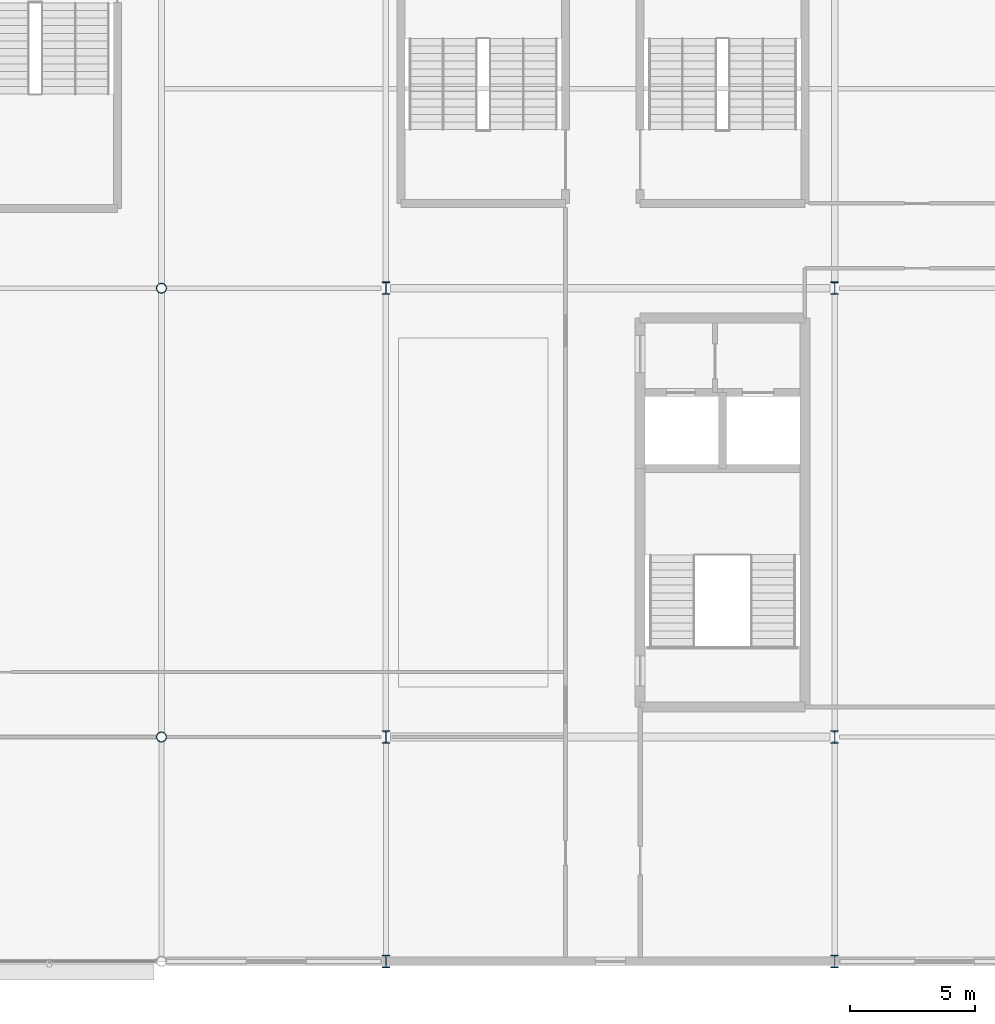
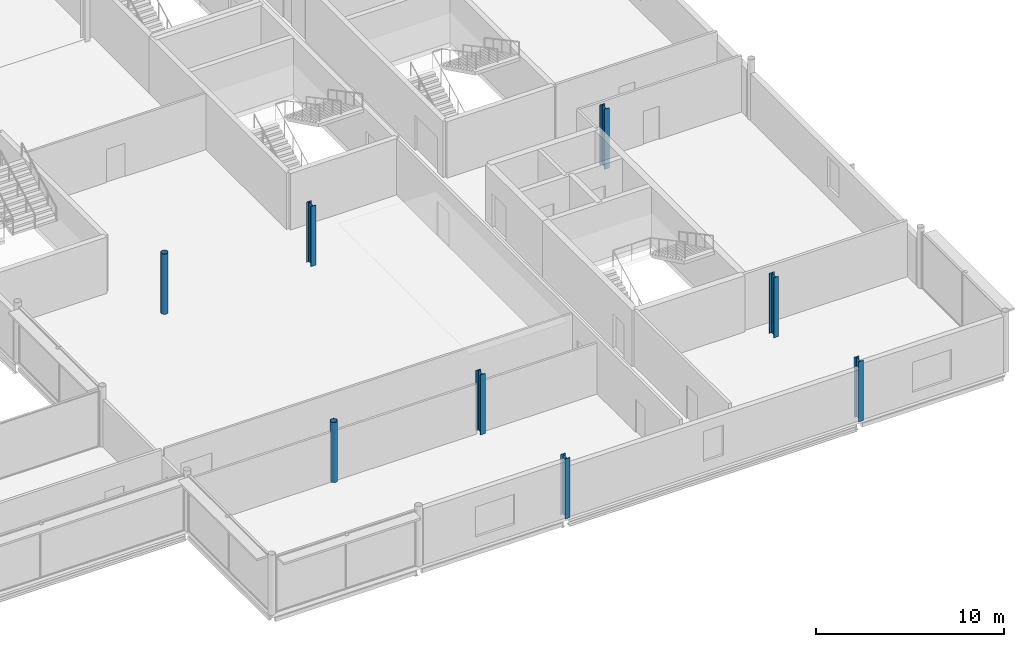
# One storey, part 10 of 96: 8 columns.
"""IFC4 building model written with IfcOpenShell, lengths in metres."""

from ifc_helpers import new_model, si_unit, direction, frame, origin, origin_2d, place, context, subcontext, project, spatial, hollow_circle, i_section, extrude, material, material_profile, profile_set, type_object, element, save


model = new_model("IFC4")

# Units and contexts
model_context = context("Model", 3, precision=1e-05, world=origin(), true_north=direction((0.0, 1.0)))
body_context = subcontext(model_context, "Body", "Model", "MODEL_VIEW")
ifc_project = project(units=[si_unit("LENGTHUNIT", "METRE"), si_unit("AREAUNIT", "SQUARE_METRE"), si_unit("VOLUMEUNIT", "CUBIC_METRE"), si_unit("PLANEANGLEUNIT", "RADIAN"), si_unit("MASSUNIT", "GRAM", prefix="KILO")], contexts=[model_context])

# Site, building, storey
site_placement = place(None, origin())
site = spatial("IfcSite", under=ifc_project, at=site_placement, CompositionType="ELEMENT")
building_placement = place(site_placement, origin())
building = spatial("IfcBuilding", under=site, at=building_placement, Name="Kisiwana Market Hall", CompositionType="ELEMENT")
storey_placement = place(building_placement, frame((0.0, 0.0, 25.5)))
storey = spatial("IfcBuildingStorey", under=building, at=storey_placement, Name="L05", CompositionType="ELEMENT", Elevation=25.5)

# Columns
ifc_material_1 = material(Name="Steel S355", Category="steel")
ifc_material_profile_1 = material_profile(ifc_material_1, hollow_circle(Radius=0.203125, WallThickness=0.01611328125, at=origin_2d()), Name="CHS 406.4x16")
ifc_profile_set_1 = profile_set([ifc_material_profile_1], Name="Steel S355")
column_type_1 = type_object("IfcColumnType", Name="COL-STL-CHS406", PredefinedType="COLUMN", material=ifc_profile_set_1)
for number, where, z_axis, x_axis, name in (
    (1, (162.0, 18.0, 0.0), (0.0, 0.0, 1.0), (1.0, 0.0, 0.0), "Column C/19 (L05) C-0947"),
    (2, (162.0, 36.0, 0.0), (0.0, 0.0, 1.0), (1.0, 0.0, 0.0), "Column E/19 (L05) C-0948"),
):
    element("IfcColumn", number, at=place(storey_placement, frame(where, z_axis=z_axis, x_axis=x_axis)), inside=storey, type_object=column_type_1, Name=name, PredefinedType="COLUMN", context=body_context, shape_type="SweptSolid", body=[
        extrude(hollow_circle(Radius=0.203125, WallThickness=0.01611328125, at=origin_2d()), origin(), (0.0, 0.0, 1.0), 3.89990234375),
    ])
ifc_material_2 = material(Name="Steel S355", Category="steel")
ifc_material_profile_2 = material_profile(ifc_material_2, i_section(OverallWidth=0.300048828125, OverallDepth=0.5, WebThickness=0.014404296875, FlangeThickness=0.028076171875, FilletRadius=0.027099609375, at=origin_2d()), Name="HEB 500")
ifc_profile_set_2 = profile_set([ifc_material_profile_2], Name="Steel S355")
column_type_2 = type_object("IfcColumnType", Name="COL-STL-HEB500", PredefinedType="COLUMN", material=ifc_profile_set_2)
for number, where, z_axis, x_axis, name in (
    (3, (171.0, 9.0, 0.0), (0.0, 0.0, 1.0), (1.0, 0.0, 0.0), "Column B/20 (L05) C-0952"),
    (4, (171.0, 18.0, 0.0), (0.0, 0.0, 1.0), (1.0, 0.0, 0.0), "Column C/20 (L05) C-0953"),
    (5, (171.0, 36.0, 0.0), (0.0, 0.0, 1.0), (1.0, 0.0, 0.0), "Column E/20 (L05) C-0954"),
    (6, (189.0, 9.0, 0.0), (0.0, 0.0, 1.0), (1.0, 0.0, 0.0), "Column B/22 (L05) C-0959"),
    (7, (189.0, 18.0, 0.0), (0.0, 0.0, 1.0), (1.0, 0.0, 0.0), "Column C/22 (L05) C-0960"),
    (8, (189.0, 36.0, 0.0), (0.0, 0.0, 1.0), (1.0, 0.0, 0.0), "Column E/22 (L05) C-0961"),
):
    element("IfcColumn", number, at=place(storey_placement, frame(where, z_axis=z_axis, x_axis=x_axis)), inside=storey, type_object=column_type_2, Name=name, PredefinedType="COLUMN", context=body_context, shape_type="SweptSolid", body=[
        extrude(i_section(OverallWidth=0.300048828125, OverallDepth=0.5, WebThickness=0.014404296875, FlangeThickness=0.028076171875, FilletRadius=0.027099609375, at=origin_2d()), origin(), (0.0, 0.0, 1.0), 3.89990234375),
    ])

save(model, "model.ifc")
